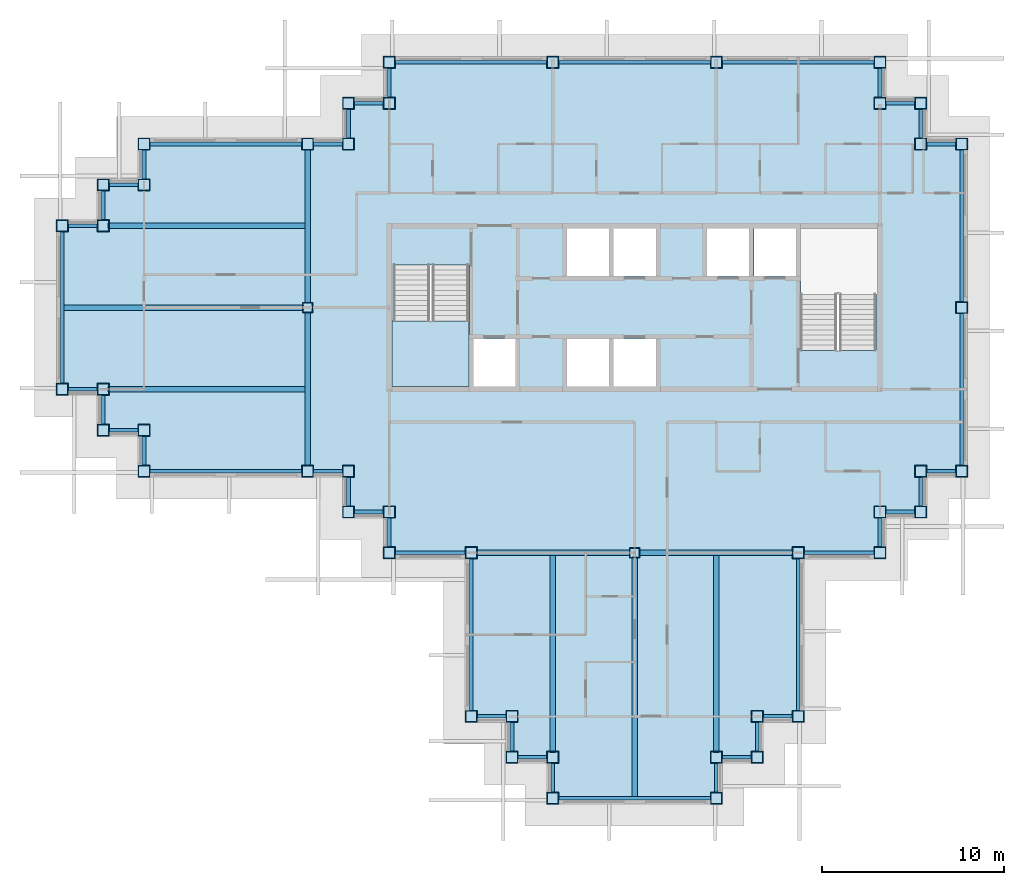
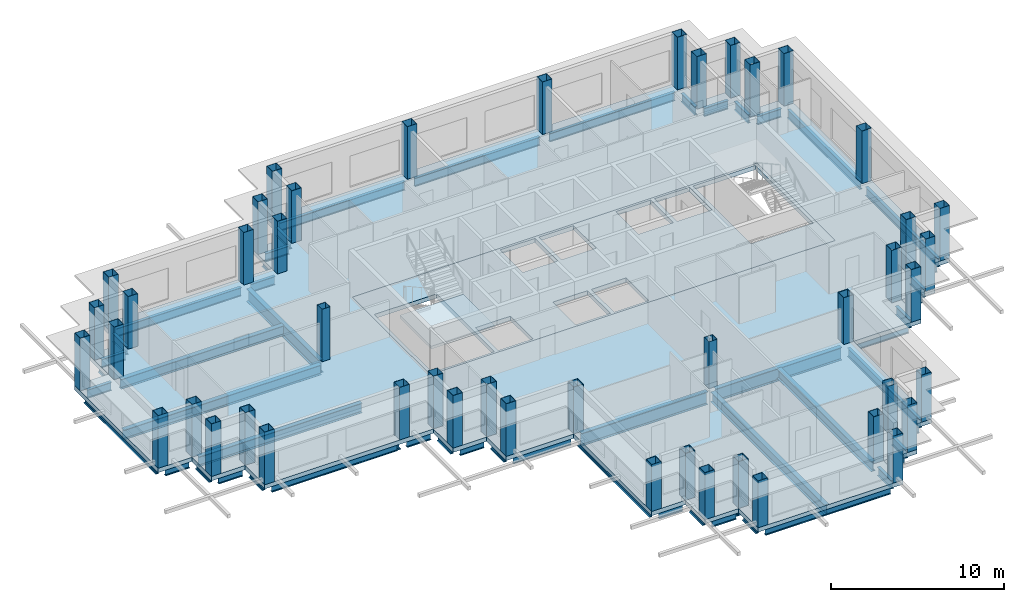
# One storey, part 1 of 11: 55 beams, 47 columns, 3 slabs, 1 element without a shape of its own.
"""IFC4 building model written with IfcOpenShell, lengths in metres."""

from ifc_helpers import new_model, si_unit, direction, frame, origin, origin_2d, place, context, subcontext, project, spatial, polyline, hollow_rectangle, i_section, outline, extrude, material, layer, layer_set, material_profile, profile_set, type_object, element, aggregate, save


model = new_model("IFC4")

# Units and contexts
model_context = context("Model", 3, precision=1e-05, world=origin(), true_north=direction((0.0, 1.0)))
body_context = subcontext(model_context, "Body", "Model", "MODEL_VIEW")
ifc_project = project(units=[si_unit("LENGTHUNIT", "METRE"), si_unit("AREAUNIT", "SQUARE_METRE"), si_unit("VOLUMEUNIT", "CUBIC_METRE"), si_unit("PLANEANGLEUNIT", "RADIAN"), si_unit("MASSUNIT", "GRAM", prefix="KILO")], contexts=[model_context])

# Site, building, storey
site_placement = place(None, origin())
site = spatial("IfcSite", under=ifc_project, at=site_placement, CompositionType="ELEMENT")
building_placement = place(site_placement, origin())
building = spatial("IfcBuilding", under=site, at=building_placement, Name="Caravel Reach Hotel and Residences", CompositionType="ELEMENT")
storey_placement = place(building_placement, frame((0.0, 0.0, 229.39990234375)))
storey = spatial("IfcBuildingStorey", under=building, at=storey_placement, Name="L58", CompositionType="ELEMENT", Elevation=229.39990234375)

# Columns
ifc_material_1 = material(Name="Concrete-filled steel tube Q390B with Concrete C60 infill", Category="concrete")
ifc_material_profile_1 = material_profile(ifc_material_1, hollow_rectangle(XDim=0.550048828125, YDim=0.550048828125, WallThickness=0.01806640625, at=origin_2d()), Name="RHS 550x550x18")
ifc_profile_set_1 = profile_set([ifc_material_profile_1], Name="Concrete-filled steel tube Q390B with Concrete C60 infill")
column_type_1 = type_object("IfcColumnType", Name="CFT 550x550 Q390B C60", PredefinedType="COLUMN", material=ifc_profile_set_1)
column_1_placement = place(storey_placement, frame((31.5, 13.5, 0.0), z_axis=(0.0, 0.0, 1.0), x_axis=(1.0, 0.0, 0.0)))
element("IfcColumn", 1, at=column_1_placement, inside=storey, type_object=column_type_1, Name="C18 column", PredefinedType="COLUMN", context=body_context, shape_type="SweptSolid", body=[
    extrude(hollow_rectangle(XDim=0.550048828125, YDim=0.550048828125, WallThickness=0.01806640625, at=origin_2d()), origin(), (0.0, 0.0, 1.0), 3.300048828125),
])
column_2_placement = place(storey_placement, frame((13.5, 27.0, 0.0), z_axis=(0.0, 0.0, 1.0), x_axis=(1.0, 0.0, 0.0)))
element("IfcColumn", 2, at=column_2_placement, inside=storey, type_object=column_type_1, Name="C18 column", PredefinedType="COLUMN", context=body_context, shape_type="SweptSolid", body=[
    extrude(hollow_rectangle(XDim=0.550048828125, YDim=0.550048828125, WallThickness=0.01806640625, at=origin_2d()), origin(), (0.0, 0.0, 1.0), 3.7001953125),
])
ifc_material_2 = material(Name="Concrete-filled steel tube Q390B with Concrete C60 infill", Category="concrete")
ifc_material_profile_2 = material_profile(ifc_material_2, hollow_rectangle(XDim=0.64990234375, YDim=0.64990234375, WallThickness=0.02099609375, at=origin_2d()), Name="RHS 650x650x21")
ifc_profile_set_2 = profile_set([ifc_material_profile_2], Name="Concrete-filled steel tube Q390B with Concrete C60 infill")
column_type_2 = type_object("IfcColumnType", Name="CFT 650x650 Q390B C60", PredefinedType="COLUMN", material=ifc_profile_set_2)
column_3_placement = place(storey_placement, frame((40.5, 13.5, 0.0), z_axis=(0.0, 0.0, 1.0), x_axis=(1.0, 0.0, 0.0)))
element("IfcColumn", 3, at=column_3_placement, inside=storey, type_object=column_type_2, Name="C15 column", PredefinedType="COLUMN", context=body_context, shape_type="SweptSolid", body=[
    extrude(hollow_rectangle(XDim=0.64990234375, YDim=0.64990234375, WallThickness=0.02099609375, at=origin_2d()), origin(), (0.0, 0.0, 1.0), 3.300048828125),
])
for number, where, z_axis, x_axis, name in (
    (4, (45.0, 13.5, 0.0), (0.0, 0.0, 1.0), (1.0, 0.0, 0.0), "C15 column"),
    (5, (45.0, 15.75, 0.0), (0.0, 0.0, 1.0), (1.0, 0.0, 0.0), "C15 column"),
    (6, (47.25, 15.75, 0.0), (0.0, 0.0, 1.0), (1.0, 0.0, 0.0), "C15 column"),
    (7, (47.25, 18.0, 0.0), (0.0, 0.0, 1.0), (1.0, 0.0, 0.0), "C15 column"),
    (8, (49.5, 18.0, 0.0), (0.0, 0.0, 1.0), (1.0, 0.0, 0.0), "C15 column"),
    (9, (49.5, 27.0, 0.0), (0.0, 0.0, 1.0), (1.0, 0.0, 0.0), "C15 column"),
    (10, (49.5, 36.0, 0.0), (0.0, 0.0, 1.0), (1.0, 0.0, 0.0), "C15 column"),
    (11, (47.25, 36.0, 0.0), (0.0, 0.0, 1.0), (1.0, 0.0, 0.0), "C15 column"),
    (12, (47.25, 38.25, 0.0), (0.0, 0.0, 1.0), (1.0, 0.0, 0.0), "C15 column"),
    (13, (45.0, 38.25, 0.0), (0.0, 0.0, 1.0), (1.0, 0.0, 0.0), "C15 column"),
    (14, (45.0, 40.5, 0.0), (0.0, 0.0, 1.0), (1.0, 0.0, 0.0), "C15 column"),
    (15, (36.0, 40.5, 0.0), (0.0, 0.0, 1.0), (1.0, 0.0, 0.0), "C15 column"),
    (16, (27.0, 40.5, 0.0), (0.0, 0.0, 1.0), (1.0, 0.0, 0.0), "C15 column"),
    (17, (18.0, 40.5, 0.0), (0.0, 0.0, 1.0), (1.0, 0.0, 0.0), "C15 column"),
    (18, (18.0, 38.25, 0.0), (0.0, 0.0, 1.0), (1.0, 0.0, 0.0), "C15 column"),
    (19, (15.75, 38.25, 0.0), (0.0, 0.0, 1.0), (1.0, 0.0, 0.0), "C15 column"),
    (20, (15.75, 36.0, 0.0), (0.0, 0.0, 1.0), (1.0, 0.0, 0.0), "C15 column"),
    (21, (13.5, 36.0, 0.0), (0.0, 0.0, 1.0), (1.0, 0.0, 0.0), "C15 column"),
    (22, (4.5, 36.0, 0.0), (0.0, 0.0, 1.0), (1.0, 0.0, 0.0), "C15 column"),
    (23, (4.5, 33.75, 0.0), (0.0, 0.0, 1.0), (1.0, 0.0, 0.0), "C15 column"),
    (24, (2.25, 33.75, 0.0), (0.0, 0.0, 1.0), (1.0, 0.0, 0.0), "C15 column"),
    (25, (2.25, 31.5, 0.0), (0.0, 0.0, 1.0), (1.0, 0.0, 0.0), "C15 column"),
    (26, (0.0, 31.5, 0.0), (0.0, 0.0, 1.0), (1.0, 0.0, 0.0), "C15 column"),
    (27, (0.0, 22.5, 0.0), (0.0, 0.0, 1.0), (1.0, 0.0, 0.0), "C15 column"),
    (28, (2.25, 22.5, 0.0), (0.0, 0.0, 1.0), (1.0, 0.0, 0.0), "C15 column"),
    (29, (2.25, 20.25, 0.0), (0.0, 0.0, 1.0), (1.0, 0.0, 0.0), "C15 column"),
    (30, (4.5, 20.25, 0.0), (0.0, 0.0, 1.0), (1.0, 0.0, 0.0), "C15 column"),
    (31, (4.5, 18.0, 0.0), (0.0, 0.0, 1.0), (1.0, 0.0, 0.0), "C15 column"),
    (32, (13.5, 18.0, 0.0), (0.0, 0.0, 1.0), (1.0, 0.0, 0.0), "C15 column"),
    (33, (15.75, 18.0, 0.0), (0.0, 0.0, 1.0), (1.0, 0.0, 0.0), "C15 column"),
    (34, (15.75, 15.75, 0.0), (0.0, 0.0, 1.0), (1.0, 0.0, 0.0), "C15 column"),
    (35, (18.0, 15.75, 0.0), (0.0, 0.0, 1.0), (1.0, 0.0, 0.0), "C15 column"),
    (36, (18.0, 13.5, 0.0), (0.0, 0.0, 1.0), (1.0, 0.0, 0.0), "C15 column"),
):
    element("IfcColumn", number, at=place(storey_placement, frame(where, z_axis=z_axis, x_axis=x_axis)), inside=storey, type_object=column_type_2, Name=name, PredefinedType="COLUMN", context=body_context, shape_type="SweptSolid", body=[
        extrude(hollow_rectangle(XDim=0.64990234375, YDim=0.64990234375, WallThickness=0.02099609375, at=origin_2d()), origin(), (0.0, 0.0, 1.0), 3.7001953125),
    ])
for number, where, z_axis, x_axis, name in (
    (37, (22.5, 13.5, 0.0), (0.0, 0.0, 1.0), (1.0, 0.0, 0.0), "C15 column"),
    (38, (22.5, 4.5, 0.0), (0.0, 0.0, 1.0), (1.0, 0.0, 0.0), "C15 column"),
    (39, (24.75, 4.5, 0.0), (0.0, 0.0, 1.0), (1.0, 0.0, 0.0), "C15 column"),
    (40, (24.75, 2.25, 0.0), (0.0, 0.0, 1.0), (1.0, 0.0, 0.0), "C15 column"),
    (41, (27.0, 2.25, 0.0), (0.0, 0.0, 1.0), (1.0, 0.0, 0.0), "C15 column"),
    (42, (27.0, 0.0, 0.0), (0.0, 0.0, 1.0), (1.0, 0.0, 0.0), "C15 column"),
    (43, (36.0, 0.0, 0.0), (0.0, 0.0, 1.0), (1.0, 0.0, 0.0), "C15 column"),
    (44, (36.0, 2.25, 0.0), (0.0, 0.0, 1.0), (1.0, 0.0, 0.0), "C15 column"),
    (45, (38.25, 2.25, 0.0), (0.0, 0.0, 1.0), (1.0, 0.0, 0.0), "C15 column"),
    (46, (38.25, 4.5, 0.0), (0.0, 0.0, 1.0), (1.0, 0.0, 0.0), "C15 column"),
    (47, (40.5, 4.5, 0.0), (0.0, 0.0, 1.0), (1.0, 0.0, 0.0), "C15 column"),
):
    element("IfcColumn", number, at=place(storey_placement, frame(where, z_axis=z_axis, x_axis=x_axis)), inside=storey, type_object=column_type_2, Name=name, PredefinedType="COLUMN", context=body_context, shape_type="SweptSolid", body=[
        extrude(hollow_rectangle(XDim=0.64990234375, YDim=0.64990234375, WallThickness=0.02099609375, at=origin_2d()), origin(), (0.0, 0.0, 1.0), 3.300048828125),
    ])

# Beams
ifc_material_3 = material(Name="Structural steel Q355B", Category="steel")
ifc_material_profile_3 = material_profile(ifc_material_3, i_section(OverallWidth=0.300048828125, OverallDepth=0.699951171875, WebThickness=0.012939453125, FlangeThickness=0.02392578125, FilletRadius=0.01806640625, at=origin_2d()), Name="HN 700x300x13x24")
ifc_profile_set_3 = profile_set([ifc_material_profile_3], Name="Structural steel Q355B")
beam_type_1 = type_object("IfcBeamType", Name="Beam HN 700x300x13x24", PredefinedType="BEAM", material=ifc_profile_set_3)
beam_1_placement = place(storey_placement, frame((27.0, 13.39990234375, -0.64990234375), z_axis=(0.0, -1.0, 0.0), x_axis=(1.0, 0.0, 0.0)))
element("IfcBeam", 48, at=beam_1_placement, inside=storey, type_object=beam_type_1, Name="B2 HN 700x300x13x24", PredefinedType="BEAM", context=body_context, shape_type="SweptSolid", body=[
    extrude(i_section(OverallWidth=0.300048828125, OverallDepth=0.699951171875, WebThickness=0.012939453125, FlangeThickness=0.02392578125, FilletRadius=0.01806640625, at=origin_2d()), origin(), (0.0, 0.0, 1.0), 10.875),
])
beam_2_placement = place(storey_placement, frame((31.5, 13.27490234375, -0.64990234375), z_axis=(0.0, -1.0, 0.0), x_axis=(1.0, 0.0, 0.0)))
element("IfcBeam", 49, at=beam_2_placement, inside=storey, type_object=beam_type_1, Name="B2 HN 700x300x13x24", PredefinedType="BEAM", context=body_context, shape_type="SweptSolid", body=[
    extrude(i_section(OverallWidth=0.300048828125, OverallDepth=0.699951171875, WebThickness=0.012939453125, FlangeThickness=0.02392578125, FilletRadius=0.01806640625, at=origin_2d()), origin(), (0.0, 0.0, 1.0), 13.1748046875),
])
for number, where, z_axis, x_axis, name in (
    (50, (36.0, 13.39990234375, -0.64990234375), (0.0, -1.0, 0.0), (1.0, 0.0, 0.0), "B2 HN 700x300x13x24"),
    (51, (13.39990234375, 22.5, -0.64990234375), (-1.0, 0.0, 0.0), (0.0, -1.0, 0.0), "B2 HN 700x300x13x24"),
):
    element("IfcBeam", number, at=place(storey_placement, frame(where, z_axis=z_axis, x_axis=x_axis)), inside=storey, type_object=beam_type_1, Name=name, PredefinedType="BEAM", context=body_context, shape_type="SweptSolid", body=[
        extrude(i_section(OverallWidth=0.300048828125, OverallDepth=0.699951171875, WebThickness=0.012939453125, FlangeThickness=0.02392578125, FilletRadius=0.01806640625, at=origin_2d()), origin(), (0.0, 0.0, 1.0), 10.875),
    ])
beam_3_placement = place(storey_placement, frame((13.27490234375, 27.0, -0.64990234375), z_axis=(-1.0, 0.0, 0.0), x_axis=(0.0, -1.0, 0.0)))
element("IfcBeam", 52, at=beam_3_placement, inside=storey, type_object=beam_type_1, Name="B2 HN 700x300x13x24", PredefinedType="BEAM", context=body_context, shape_type="SweptSolid", body=[
    extrude(i_section(OverallWidth=0.300048828125, OverallDepth=0.699951171875, WebThickness=0.012939453125, FlangeThickness=0.02392578125, FilletRadius=0.01806640625, at=origin_2d()), origin(), (0.0, 0.0, 1.0), 13.1748046875),
])
beam_4_placement = place(storey_placement, frame((13.39990234375, 31.5, -0.64990234375), z_axis=(-1.0, 0.0, 0.0), x_axis=(0.0, -1.0, 0.0)))
element("IfcBeam", 53, at=beam_4_placement, inside=storey, type_object=beam_type_1, Name="B2 HN 700x300x13x24", PredefinedType="BEAM", context=body_context, shape_type="SweptSolid", body=[
    extrude(i_section(OverallWidth=0.300048828125, OverallDepth=0.699951171875, WebThickness=0.012939453125, FlangeThickness=0.02392578125, FilletRadius=0.01806640625, at=origin_2d()), origin(), (0.0, 0.0, 1.0), 10.875),
])
ifc_material_4 = material(Name="Structural steel Q355B", Category="steel")
ifc_material_profile_4 = material_profile(ifc_material_4, i_section(OverallWidth=0.300048828125, OverallDepth=0.89990234375, WebThickness=0.01611328125, FlangeThickness=0.028076171875, FilletRadius=0.01806640625, at=origin_2d()), Name="HN 900x300x16x28")
ifc_profile_set_4 = profile_set([ifc_material_profile_4], Name="Structural steel Q355B")
beam_type_2 = type_object("IfcBeamType", Name="Beam HN 900x300x16x28", PredefinedType="BEAM", material=ifc_profile_set_4)
for number, where, z_axis, x_axis, name in (
    (54, (22.824951171875, 13.5, -0.75), (1.0, 0.0, 0.0), (0.0, 1.0, 0.0), "B3 HN 900x300x16x28"),
    (55, (31.77490234375, 13.5, -0.75), (1.0, 0.0, 0.0), (0.0, 1.0, 0.0), "B3 HN 900x300x16x28"),
    (56, (13.5, 18.324951171875, -0.75), (0.0, 1.0, 0.0), (-1.0, 0.0, 0.0), "B3 HN 900x300x16x28"),
    (57, (13.5, 27.27490234375, -0.75), (0.0, 1.0, 0.0), (-1.0, 0.0, 0.0), "B3 HN 900x300x16x28"),
):
    element("IfcBeam", number, at=place(storey_placement, frame(where, z_axis=z_axis, x_axis=x_axis)), inside=storey, type_object=beam_type_2, Name=name, PredefinedType="BEAM", context=body_context, shape_type="SweptSolid", body=[
        extrude(i_section(OverallWidth=0.300048828125, OverallDepth=0.89990234375, WebThickness=0.01611328125, FlangeThickness=0.028076171875, FilletRadius=0.01806640625, at=origin_2d()), origin(), (0.0, 0.0, 1.0), 8.400146484375),
    ])
ifc_material_5 = material(Name="Structural steel Q355B", Category="steel")
ifc_material_profile_5 = material_profile(ifc_material_5, i_section(OverallWidth=0.199951171875, OverallDepth=0.60009765625, WebThickness=0.010986328125, FlangeThickness=0.01708984375, FilletRadius=0.012939453125, at=origin_2d()), Name="HN 600x200x11x17")
ifc_profile_set_5 = profile_set([ifc_material_profile_5], Name="Structural steel Q355B")
beam_type_3 = type_object("IfcBeamType", Name="Spandrel beam HN 600x200x11x17", PredefinedType="SPANDREL", material=ifc_profile_set_5)
beam_5_placement = place(storey_placement, frame((40.824951171875, 13.5, -0.599853515625), z_axis=(1.0, 0.0, 0.0), x_axis=(0.0, 1.0, 0.0)))
element("IfcBeam", 58, at=beam_5_placement, inside=storey, type_object=beam_type_3, Name="SP1 HN 600x200x11x17", PredefinedType="SPANDREL", context=body_context, shape_type="SweptSolid", body=[
    extrude(i_section(OverallWidth=0.199951171875, OverallDepth=0.60009765625, WebThickness=0.010986328125, FlangeThickness=0.01708984375, FilletRadius=0.012939453125, at=origin_2d()), origin(), (0.0, 0.0, 1.0), 3.85009765625),
])
for number, where, z_axis, x_axis, name in (
    (59, (45.0, 13.824951171875, -0.599853515625), (0.0, 1.0, 0.0), (-1.0, 0.0, 0.0), "SP1 HN 600x200x11x17"),
    (60, (45.324951171875, 15.75, -0.599853515625), (1.0, 0.0, 0.0), (0.0, 1.0, 0.0), "SP1 HN 600x200x11x17"),
    (61, (47.25, 16.074951171875, -0.599853515625), (0.0, 1.0, 0.0), (-1.0, 0.0, 0.0), "SP1 HN 600x200x11x17"),
    (62, (47.574951171875, 18.0, -0.599853515625), (1.0, 0.0, 0.0), (0.0, 1.0, 0.0), "SP1 HN 600x200x11x17"),
):
    element("IfcBeam", number, at=place(storey_placement, frame(where, z_axis=z_axis, x_axis=x_axis)), inside=storey, type_object=beam_type_3, Name=name, PredefinedType="SPANDREL", context=body_context, shape_type="SweptSolid", body=[
        extrude(i_section(OverallWidth=0.199951171875, OverallDepth=0.60009765625, WebThickness=0.010986328125, FlangeThickness=0.01708984375, FilletRadius=0.012939453125, at=origin_2d()), origin(), (0.0, 0.0, 1.0), 1.60009765625),
    ])
for number, where, z_axis, x_axis, name in (
    (63, (49.5, 18.324951171875, -0.599853515625), (0.0, 1.0, 0.0), (-1.0, 0.0, 0.0), "SP1 HN 600x200x11x17"),
    (64, (49.5, 27.324951171875, -0.599853515625), (0.0, 1.0, 0.0), (-1.0, 0.0, 0.0), "SP1 HN 600x200x11x17"),
):
    element("IfcBeam", number, at=place(storey_placement, frame(where, z_axis=z_axis, x_axis=x_axis)), inside=storey, type_object=beam_type_3, Name=name, PredefinedType="SPANDREL", context=body_context, shape_type="SweptSolid", body=[
        extrude(i_section(OverallWidth=0.199951171875, OverallDepth=0.60009765625, WebThickness=0.010986328125, FlangeThickness=0.01708984375, FilletRadius=0.012939453125, at=origin_2d()), origin(), (0.0, 0.0, 1.0), 8.35009765625),
    ])
for number, where, z_axis, x_axis, name in (
    (65, (49.175048828125, 36.0, -0.599853515625), (-1.0, 0.0, 0.0), (0.0, -1.0, 0.0), "SP1 HN 600x200x11x17"),
    (66, (47.25, 36.324951171875, -0.599853515625), (0.0, 1.0, 0.0), (-1.0, 0.0, 0.0), "SP1 HN 600x200x11x17"),
    (67, (46.925048828125, 38.25, -0.599853515625), (-1.0, 0.0, 0.0), (0.0, -1.0, 0.0), "SP1 HN 600x200x11x17"),
    (68, (45.0, 38.574951171875, -0.599853515625), (0.0, 1.0, 0.0), (-1.0, 0.0, 0.0), "SP1 HN 600x200x11x17"),
):
    element("IfcBeam", number, at=place(storey_placement, frame(where, z_axis=z_axis, x_axis=x_axis)), inside=storey, type_object=beam_type_3, Name=name, PredefinedType="SPANDREL", context=body_context, shape_type="SweptSolid", body=[
        extrude(i_section(OverallWidth=0.199951171875, OverallDepth=0.60009765625, WebThickness=0.010986328125, FlangeThickness=0.01708984375, FilletRadius=0.012939453125, at=origin_2d()), origin(), (0.0, 0.0, 1.0), 1.60009765625),
    ])
for number, where, z_axis, x_axis, name in (
    (69, (44.675048828125, 40.5, -0.599853515625), (-1.0, 0.0, 0.0), (0.0, -1.0, 0.0), "SP1 HN 600x200x11x17"),
    (70, (35.675048828125, 40.5, -0.599853515625), (-1.0, 0.0, 0.0), (0.0, -1.0, 0.0), "SP1 HN 600x200x11x17"),
    (71, (26.675048828125, 40.5, -0.599853515625), (-1.0, 0.0, 0.0), (0.0, -1.0, 0.0), "SP1 HN 600x200x11x17"),
):
    element("IfcBeam", number, at=place(storey_placement, frame(where, z_axis=z_axis, x_axis=x_axis)), inside=storey, type_object=beam_type_3, Name=name, PredefinedType="SPANDREL", context=body_context, shape_type="SweptSolid", body=[
        extrude(i_section(OverallWidth=0.199951171875, OverallDepth=0.60009765625, WebThickness=0.010986328125, FlangeThickness=0.01708984375, FilletRadius=0.012939453125, at=origin_2d()), origin(), (0.0, 0.0, 1.0), 8.35009765625),
    ])
for number, where, z_axis, x_axis, name in (
    (72, (18.0, 40.175048828125, -0.599853515625), (0.0, -1.0, 0.0), (1.0, 0.0, 0.0), "SP1 HN 600x200x11x17"),
    (73, (17.675048828125, 38.25, -0.599853515625), (-1.0, 0.0, 0.0), (0.0, -1.0, 0.0), "SP1 HN 600x200x11x17"),
    (74, (15.75, 37.925048828125, -0.599853515625), (0.0, -1.0, 0.0), (1.0, 0.0, 0.0), "SP1 HN 600x200x11x17"),
    (75, (15.425048828125, 36.0, -0.599853515625), (-1.0, 0.0, 0.0), (0.0, -1.0, 0.0), "SP1 HN 600x200x11x17"),
):
    element("IfcBeam", number, at=place(storey_placement, frame(where, z_axis=z_axis, x_axis=x_axis)), inside=storey, type_object=beam_type_3, Name=name, PredefinedType="SPANDREL", context=body_context, shape_type="SweptSolid", body=[
        extrude(i_section(OverallWidth=0.199951171875, OverallDepth=0.60009765625, WebThickness=0.010986328125, FlangeThickness=0.01708984375, FilletRadius=0.012939453125, at=origin_2d()), origin(), (0.0, 0.0, 1.0), 1.60009765625),
    ])
beam_6_placement = place(storey_placement, frame((13.175048828125, 36.0, -0.599853515625), z_axis=(-1.0, 0.0, 0.0), x_axis=(0.0, -1.0, 0.0)))
element("IfcBeam", 76, at=beam_6_placement, inside=storey, type_object=beam_type_3, Name="SP1 HN 600x200x11x17", PredefinedType="SPANDREL", context=body_context, shape_type="SweptSolid", body=[
    extrude(i_section(OverallWidth=0.199951171875, OverallDepth=0.60009765625, WebThickness=0.010986328125, FlangeThickness=0.01708984375, FilletRadius=0.012939453125, at=origin_2d()), origin(), (0.0, 0.0, 1.0), 8.35009765625),
])
for number, where, z_axis, x_axis, name in (
    (77, (4.5, 35.675048828125, -0.599853515625), (0.0, -1.0, 0.0), (1.0, 0.0, 0.0), "SP1 HN 600x200x11x17"),
    (78, (4.175048828125, 33.75, -0.599853515625), (-1.0, 0.0, 0.0), (0.0, -1.0, 0.0), "SP1 HN 600x200x11x17"),
    (79, (2.25, 33.425048828125, -0.599853515625), (0.0, -1.0, 0.0), (1.0, 0.0, 0.0), "SP1 HN 600x200x11x17"),
    (80, (1.925048828125, 31.5, -0.599853515625), (-1.0, 0.0, 0.0), (0.0, -1.0, 0.0), "SP1 HN 600x200x11x17"),
):
    element("IfcBeam", number, at=place(storey_placement, frame(where, z_axis=z_axis, x_axis=x_axis)), inside=storey, type_object=beam_type_3, Name=name, PredefinedType="SPANDREL", context=body_context, shape_type="SweptSolid", body=[
        extrude(i_section(OverallWidth=0.199951171875, OverallDepth=0.60009765625, WebThickness=0.010986328125, FlangeThickness=0.01708984375, FilletRadius=0.012939453125, at=origin_2d()), origin(), (0.0, 0.0, 1.0), 1.60009765625),
    ])
beam_7_placement = place(storey_placement, frame((0.0, 31.175048828125, -0.599853515625), z_axis=(0.0, -1.0, 0.0), x_axis=(1.0, 0.0, 0.0)))
element("IfcBeam", 81, at=beam_7_placement, inside=storey, type_object=beam_type_3, Name="SP1 HN 600x200x11x17", PredefinedType="SPANDREL", context=body_context, shape_type="SweptSolid", body=[
    extrude(i_section(OverallWidth=0.199951171875, OverallDepth=0.60009765625, WebThickness=0.010986328125, FlangeThickness=0.01708984375, FilletRadius=0.012939453125, at=origin_2d()), origin(), (0.0, 0.0, 1.0), 8.35009765625),
])
for number, where, z_axis, x_axis, name in (
    (82, (0.324951171875, 22.5, -0.599853515625), (1.0, 0.0, 0.0), (0.0, 1.0, 0.0), "SP1 HN 600x200x11x17"),
    (83, (2.25, 22.175048828125, -0.599853515625), (0.0, -1.0, 0.0), (1.0, 0.0, 0.0), "SP1 HN 600x200x11x17"),
    (84, (2.574951171875, 20.25, -0.599853515625), (1.0, 0.0, 0.0), (0.0, 1.0, 0.0), "SP1 HN 600x200x11x17"),
    (85, (4.5, 19.925048828125, -0.599853515625), (0.0, -1.0, 0.0), (1.0, 0.0, 0.0), "SP1 HN 600x200x11x17"),
):
    element("IfcBeam", number, at=place(storey_placement, frame(where, z_axis=z_axis, x_axis=x_axis)), inside=storey, type_object=beam_type_3, Name=name, PredefinedType="SPANDREL", context=body_context, shape_type="SweptSolid", body=[
        extrude(i_section(OverallWidth=0.199951171875, OverallDepth=0.60009765625, WebThickness=0.010986328125, FlangeThickness=0.01708984375, FilletRadius=0.012939453125, at=origin_2d()), origin(), (0.0, 0.0, 1.0), 1.60009765625),
    ])
beam_8_placement = place(storey_placement, frame((4.824951171875, 18.0, -0.599853515625), z_axis=(1.0, 0.0, 0.0), x_axis=(0.0, 1.0, 0.0)))
element("IfcBeam", 86, at=beam_8_placement, inside=storey, type_object=beam_type_3, Name="SP1 HN 600x200x11x17", PredefinedType="SPANDREL", context=body_context, shape_type="SweptSolid", body=[
    extrude(i_section(OverallWidth=0.199951171875, OverallDepth=0.60009765625, WebThickness=0.010986328125, FlangeThickness=0.01708984375, FilletRadius=0.012939453125, at=origin_2d()), origin(), (0.0, 0.0, 1.0), 8.35009765625),
])
for number, where, z_axis, x_axis, name in (
    (87, (13.824951171875, 18.0, -0.599853515625), (1.0, 0.0, 0.0), (0.0, 1.0, 0.0), "SP1 HN 600x200x11x17"),
    (88, (15.75, 17.675048828125, -0.599853515625), (0.0, -1.0, 0.0), (1.0, 0.0, 0.0), "SP1 HN 600x200x11x17"),
    (89, (16.074951171875, 15.75, -0.599853515625), (1.0, 0.0, 0.0), (0.0, 1.0, 0.0), "SP1 HN 600x200x11x17"),
    (90, (18.0, 15.425048828125, -0.599853515625), (0.0, -1.0, 0.0), (1.0, 0.0, 0.0), "SP1 HN 600x200x11x17"),
):
    element("IfcBeam", number, at=place(storey_placement, frame(where, z_axis=z_axis, x_axis=x_axis)), inside=storey, type_object=beam_type_3, Name=name, PredefinedType="SPANDREL", context=body_context, shape_type="SweptSolid", body=[
        extrude(i_section(OverallWidth=0.199951171875, OverallDepth=0.60009765625, WebThickness=0.010986328125, FlangeThickness=0.01708984375, FilletRadius=0.012939453125, at=origin_2d()), origin(), (0.0, 0.0, 1.0), 1.60009765625),
    ])
beam_9_placement = place(storey_placement, frame((18.324951171875, 13.5, -0.599853515625), z_axis=(1.0, 0.0, 0.0), x_axis=(0.0, 1.0, 0.0)))
element("IfcBeam", 91, at=beam_9_placement, inside=storey, type_object=beam_type_3, Name="SP1 HN 600x200x11x17", PredefinedType="SPANDREL", context=body_context, shape_type="SweptSolid", body=[
    extrude(i_section(OverallWidth=0.199951171875, OverallDepth=0.60009765625, WebThickness=0.010986328125, FlangeThickness=0.01708984375, FilletRadius=0.012939453125, at=origin_2d()), origin(), (0.0, 0.0, 1.0), 3.85009765625),
])
beam_10_placement = place(storey_placement, frame((22.5, 13.175048828125, -0.599853515625), z_axis=(0.0, -1.0, 0.0), x_axis=(1.0, 0.0, 0.0)))
element("IfcBeam", 92, at=beam_10_placement, inside=storey, type_object=beam_type_3, Name="SP1 HN 600x200x11x17", PredefinedType="SPANDREL", context=body_context, shape_type="SweptSolid", body=[
    extrude(i_section(OverallWidth=0.199951171875, OverallDepth=0.60009765625, WebThickness=0.010986328125, FlangeThickness=0.01708984375, FilletRadius=0.012939453125, at=origin_2d()), origin(), (0.0, 0.0, 1.0), 8.35009765625),
])
for number, where, z_axis, x_axis, name in (
    (93, (22.824951171875, 4.5, -0.599853515625), (1.0, 0.0, 0.0), (0.0, 1.0, 0.0), "SP1 HN 600x200x11x17"),
    (94, (24.75, 4.175048828125, -0.599853515625), (0.0, -1.0, 0.0), (1.0, 0.0, 0.0), "SP1 HN 600x200x11x17"),
    (95, (25.074951171875, 2.25, -0.599853515625), (1.0, 0.0, 0.0), (0.0, 1.0, 0.0), "SP1 HN 600x200x11x17"),
    (96, (27.0, 1.925048828125, -0.599853515625), (0.0, -1.0, 0.0), (1.0, 0.0, 0.0), "SP1 HN 600x200x11x17"),
):
    element("IfcBeam", number, at=place(storey_placement, frame(where, z_axis=z_axis, x_axis=x_axis)), inside=storey, type_object=beam_type_3, Name=name, PredefinedType="SPANDREL", context=body_context, shape_type="SweptSolid", body=[
        extrude(i_section(OverallWidth=0.199951171875, OverallDepth=0.60009765625, WebThickness=0.010986328125, FlangeThickness=0.01708984375, FilletRadius=0.012939453125, at=origin_2d()), origin(), (0.0, 0.0, 1.0), 1.60009765625),
    ])
beam_11_placement = place(storey_placement, frame((27.324951171875, 0.0, -0.599853515625), z_axis=(1.0, 0.0, 0.0), x_axis=(0.0, 1.0, 0.0)))
element("IfcBeam", 97, at=beam_11_placement, inside=storey, type_object=beam_type_3, Name="SP1 HN 600x200x11x17", PredefinedType="SPANDREL", context=body_context, shape_type="SweptSolid", body=[
    extrude(i_section(OverallWidth=0.199951171875, OverallDepth=0.60009765625, WebThickness=0.010986328125, FlangeThickness=0.01708984375, FilletRadius=0.012939453125, at=origin_2d()), origin(), (0.0, 0.0, 1.0), 8.35009765625),
])
for number, where, z_axis, x_axis, name in (
    (98, (36.0, 0.324951171875, -0.599853515625), (0.0, 1.0, 0.0), (-1.0, 0.0, 0.0), "SP1 HN 600x200x11x17"),
    (99, (36.324951171875, 2.25, -0.599853515625), (1.0, 0.0, 0.0), (0.0, 1.0, 0.0), "SP1 HN 600x200x11x17"),
    (100, (38.25, 2.574951171875, -0.599853515625), (0.0, 1.0, 0.0), (-1.0, 0.0, 0.0), "SP1 HN 600x200x11x17"),
    (101, (38.574951171875, 4.5, -0.599853515625), (1.0, 0.0, 0.0), (0.0, 1.0, 0.0), "SP1 HN 600x200x11x17"),
):
    element("IfcBeam", number, at=place(storey_placement, frame(where, z_axis=z_axis, x_axis=x_axis)), inside=storey, type_object=beam_type_3, Name=name, PredefinedType="SPANDREL", context=body_context, shape_type="SweptSolid", body=[
        extrude(i_section(OverallWidth=0.199951171875, OverallDepth=0.60009765625, WebThickness=0.010986328125, FlangeThickness=0.01708984375, FilletRadius=0.012939453125, at=origin_2d()), origin(), (0.0, 0.0, 1.0), 1.60009765625),
    ])
beam_12_placement = place(storey_placement, frame((40.5, 4.824951171875, -0.599853515625), z_axis=(0.0, 1.0, 0.0), x_axis=(-1.0, 0.0, 0.0)))
element("IfcBeam", 102, at=beam_12_placement, inside=storey, type_object=beam_type_3, Name="SP1 HN 600x200x11x17", PredefinedType="SPANDREL", context=body_context, shape_type="SweptSolid", body=[
    extrude(i_section(OverallWidth=0.199951171875, OverallDepth=0.60009765625, WebThickness=0.010986328125, FlangeThickness=0.01708984375, FilletRadius=0.012939453125, at=origin_2d()), origin(), (0.0, 0.0, 1.0), 8.35009765625),
])

# Slab
ifc_material_6 = material(Name="Concrete C40", Category="concrete")
ifc_layer_1 = layer(ifc_material_6, 0.300048828125)
ifc_layer_set_1 = layer_set([ifc_layer_1], Name="Core floor slab 300 mm")
slab_type_1 = type_object("IfcSlabType", Name="Core floor slab 300 mm", PredefinedType="FLOOR", material=ifc_layer_set_1)
slab_1_placement = place(storey_placement, frame((0.0, 0.0, -0.2998046875)))
element("IfcSlab", 103, at=slab_1_placement, inside=storey, type_object=slab_type_1, Name="L58 core floor", PredefinedType="FLOOR", context=body_context, shape_type="SweptSolid", body=[
    extrude(outline(polyline([(18.0, 31.5), (45.0, 31.5), (45.0, 22.5), (18.0, 22.5), (18.0, 31.5)]), holes=[polyline([(22.625, 25.27490234375), (22.625, 22.64990234375), (24.9462890625, 22.64990234375), (24.9462890625, 25.27490234375), (22.625, 25.27490234375)]), polyline([(27.767822265625, 25.27490234375), (27.767822265625, 22.64990234375), (30.08935546875, 22.64990234375), (30.08935546875, 25.27490234375), (27.767822265625, 25.27490234375)]), polyline([(30.33935546875, 25.27490234375), (30.33935546875, 22.64990234375), (32.66064453125, 22.64990234375), (32.66064453125, 25.27490234375), (30.33935546875, 25.27490234375)]), polyline([(22.375, 22.64990234375), (22.375, 29.35009765625), (18.22509765625, 29.35009765625), (18.22509765625, 22.64990234375), (22.375, 22.64990234375)]), polyline([(40.625, 31.35009765625), (40.625, 24.64990234375), (44.77490234375, 24.64990234375), (44.77490234375, 31.35009765625), (40.625, 31.35009765625)]), polyline([(27.767822265625, 31.35009765625), (27.767822265625, 28.72509765625), (30.08935546875, 28.72509765625), (30.08935546875, 31.35009765625), (27.767822265625, 31.35009765625)]), polyline([(30.33935546875, 31.35009765625), (30.33935546875, 28.72509765625), (32.66064453125, 28.72509765625), (32.66064453125, 31.35009765625), (30.33935546875, 31.35009765625)]), polyline([(37.8037109375, 31.35009765625), (35.482177734375, 31.35009765625), (35.482177734375, 28.72509765625), (37.8037109375, 28.72509765625), (37.8037109375, 31.35009765625)]), polyline([(40.375, 31.35009765625), (38.0537109375, 31.35009765625), (38.0537109375, 28.72509765625), (40.375, 28.72509765625), (40.375, 31.35009765625)])]), origin(), (0.0, 0.0, 1.0), 0.2998046875),
])

# Stair, slab
ifc_material_7 = material(Name="Concrete C40", Category="concrete")
stair_type = type_object("IfcStairType", Name="Core stair", PredefinedType="HALF_TURN_STAIR", material=ifc_material_7)
stair_placement = place(storey_placement, origin())
stair = element("IfcStair", 104, at=stair_placement, inside=storey, type_object=stair_type, Name="L58 Exit stair A", PredefinedType="HALF_TURN_STAIR")
ifc_material_8 = material(Name="Concrete C40", Category="concrete")
ifc_layer_2 = layer(ifc_material_8, 0.199951171875)
ifc_layer_set_2 = layer_set([ifc_layer_2], Name="Core stair landing")
slab_type_2 = type_object("IfcSlabType", Name="Core stair landing", PredefinedType="LANDING", material=ifc_layer_set_2)
slab_2_placement = place(storey_placement, frame((0.0, 0.0, 1.650146484375)))
slab_2 = element("IfcSlab", 105, at=slab_2_placement, type_object=slab_type_2, Name="ST-A landing 1", PredefinedType="LANDING", context=body_context, shape_type="SweptSolid", body=[
    extrude(outline(polyline([(18.14990234375, 26.27001953125), (18.14990234375, 22.64990234375), (22.375, 22.64990234375), (22.375, 26.27001953125), (18.14990234375, 26.27001953125)])), origin(), (0.0, 0.0, 1.0), 0.199951171875),
])
aggregate(stair, [slab_2])

# Slab
ifc_material_9 = material(Name="Concrete C40 post-tensioned", Category="concrete")
ifc_layer_3 = layer(ifc_material_9, 0.300048828125)
ifc_layer_set_3 = layer_set([ifc_layer_3], Name="Floor slab 300")
slab_type_3 = type_object("IfcSlabType", Name="Floor slab 300", PredefinedType="FLOOR", material=ifc_layer_set_3)
slab_3_placement = place(storey_placement, frame((0.0, 0.0, -0.2998046875)))
element("IfcSlab", 106, at=slab_3_placement, inside=storey, type_object=slab_type_3, Name="S2 slab L58", PredefinedType="FLOOR", context=body_context, shape_type="SweptSolid", body=[
    extrude(outline(polyline([(38.574951171875, 4.175048828125), (38.574951171875, 1.925048828125), (36.324951171875, 1.925048828125), (36.324951171875, -0.324951171875), (26.675048828125, -0.324951171875), (26.675048828125, 1.925048828125), (24.425048828125, 1.925048828125), (24.425048828125, 4.175048828125), (22.175048828125, 4.175048828125), (22.175048828125, 13.175048828125), (17.675048828125, 13.175048828125), (17.675048828125, 15.425048828125), (15.425048828125, 15.425048828125), (15.425048828125, 17.675048828125), (4.175048828125, 17.675048828125), (4.175048828125, 19.925048828125), (1.925048828125, 19.925048828125), (1.925048828125, 22.175048828125), (-0.324951171875, 22.175048828125), (-0.324951171875, 31.824951171875), (1.925048828125, 31.824951171875), (1.925048828125, 34.074951171875), (4.175048828125, 34.074951171875), (4.175048828125, 36.324951171875), (15.425048828125, 36.324951171875), (15.425048828125, 38.574951171875), (17.675048828125, 38.574951171875), (17.675048828125, 40.824951171875), (45.324951171875, 40.824951171875), (45.324951171875, 38.574951171875), (47.574951171875, 38.574951171875), (47.574951171875, 36.324951171875), (49.824951171875, 36.324951171875), (49.824951171875, 17.675048828125), (47.574951171875, 17.675048828125), (47.574951171875, 15.425048828125), (45.324951171875, 15.425048828125), (45.324951171875, 13.175048828125), (40.824951171875, 13.175048828125), (40.824951171875, 4.175048828125), (38.574951171875, 4.175048828125)]), holes=[polyline([(45.0, 31.5), (18.0, 31.5), (18.0, 22.5), (45.0, 22.5), (45.0, 31.5)])]), origin(), (0.0, 0.0, 1.0), 0.2998046875),
])

save(model, "model.ifc")
